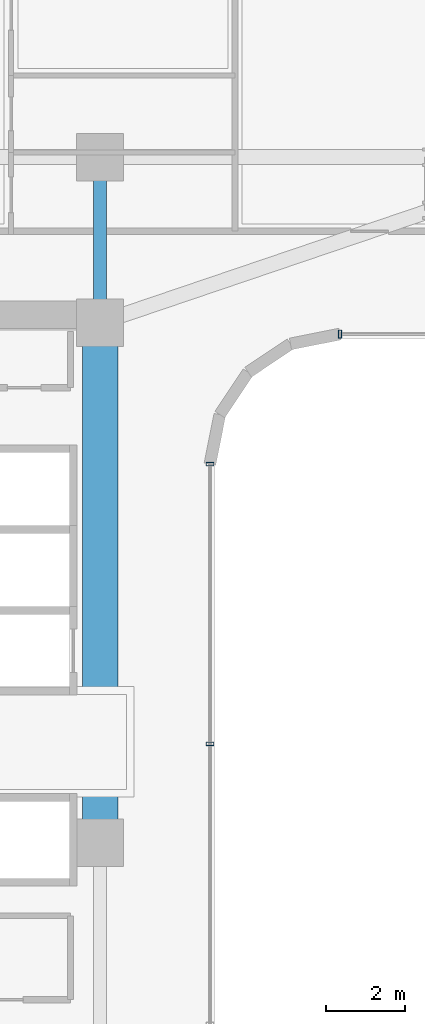
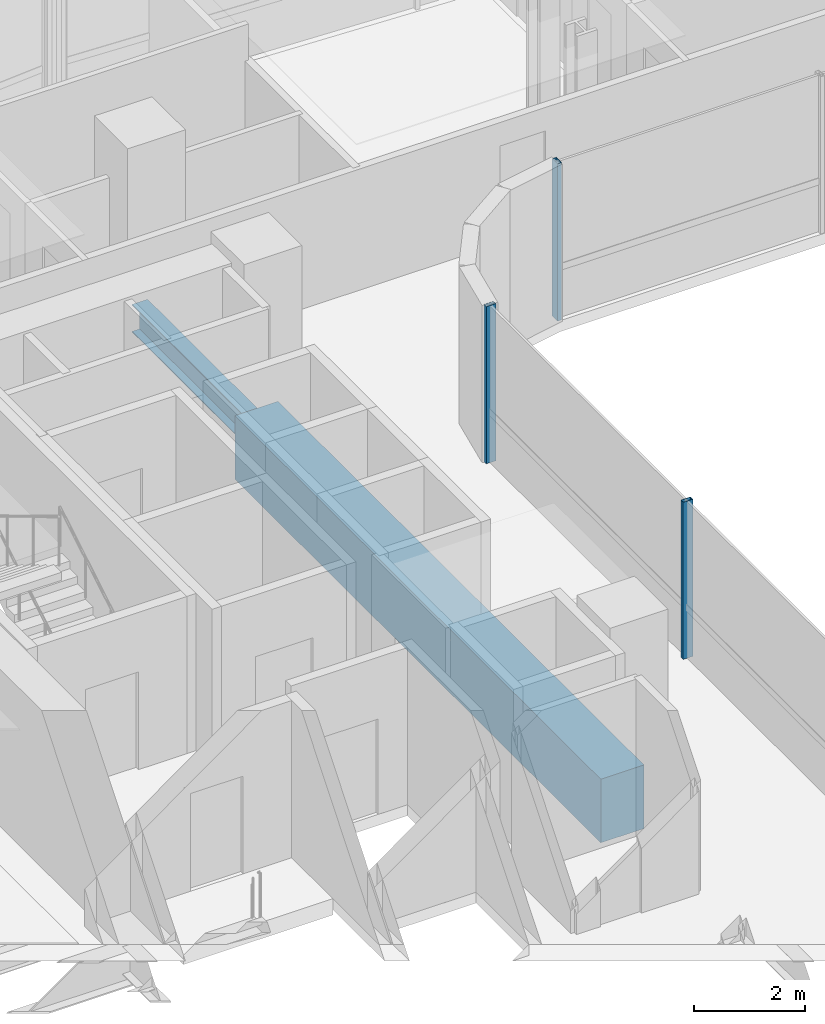
# One storey, part 11 of 38: 3 members, 2 beams, 2 elements without a shape of their own.
"""IFC4 building model written with IfcOpenShell, lengths in metres."""

import ifcopenshell
import ifcopenshell.guid

model = None  # the IFC model being written
_history = None  # IfcOwnerHistory: only IFC2X3 demands one
_inside = {}  # id of a spatial element -> (the spatial element, [elements in it])
_under = {}  # id of a project, library or spatial element -> (it, [spatial elements below it])
_declared = {}  # id of a project -> (the project, [libraries it declares])
_typed = {}  # id of a type object -> (the type object, [elements of that type])
_made_of = {}  # id of a material, layer set ... -> (it, [elements and type objects made of it])


def new_model(schema):
    """Start an empty IFC model of exactly this schema.

    Asked for "IFC4X3", IfcOpenShell would pick the latest addendum, in which some entities
    have other attributes; the version numbers below select the first issue.
    IFC2X3 requires an IfcOwnerHistory on every rooted entity: one is made here for all.
    """
    global model, _history
    if schema == "IFC4X3":
        model = ifcopenshell.file(schema_version=(4, 3, 0, 0))
    else:
        model = ifcopenshell.file(schema=schema)
    _inside.clear()
    _under.clear()
    _declared.clear()
    _typed.clear()
    _made_of.clear()
    _history = None
    if model.schema == "IFC2X3":
        org = make("IfcOrganization", Name="unknown")
        user = make(
            "IfcPersonAndOrganization",
            ThePerson=make("IfcPerson", FamilyName="unknown"),
            TheOrganization=org,
        )
        app = make(
            "IfcApplication",
            ApplicationDeveloper=org,
            Version="unknown",
            ApplicationFullName="unknown",
            ApplicationIdentifier="unknown",
        )
        _history = make(
            "IfcOwnerHistory",
            OwningUser=user,
            OwningApplication=app,
            ChangeAction="ADDED",
            CreationDate=0,
        )
    return model


def make(cls, **values):
    """One entity of the class cls with the attributes given. An attribute that is None is left unset."""
    return model.create_entity(
        cls, **{name: value for name, value in values.items() if value is not None}
    )


def rooted(cls, **values):
    """An entity with a GlobalId (a new one), such as an element, a storey or a relation."""
    return make(cls, GlobalId=ifcopenshell.guid.new(), OwnerHistory=_history, **values)


def si_unit(unit_type, name, prefix=None):
    """IfcSIUnit, for example si_unit("LENGTHUNIT", "METRE", prefix="MILLI")."""
    return make("IfcSIUnit", UnitType=unit_type, Prefix=prefix, Name=name)


def assignment(units):
    """IfcUnitAssignment: the units of a project."""
    return None if units is None else make("IfcUnitAssignment", Units=units)


def point(xyz):
    """IfcCartesianPoint."""
    return None if xyz is None else make("IfcCartesianPoint", Coordinates=xyz)


def direction(xyz):
    """IfcDirection."""
    return None if xyz is None else make("IfcDirection", DirectionRatios=xyz)


def frame(location, z_axis=None, x_axis=None):
    """IfcAxis2Placement3D, a coordinate frame: its origin and axes. An axis left out is left unset."""
    return make(
        "IfcAxis2Placement3D",
        Location=point(location),
        Axis=direction(z_axis),
        RefDirection=direction(x_axis),
    )


def frame_2d(location, x_axis=None):
    """IfcAxis2Placement2D, a coordinate frame in the plane: its origin and x axis."""
    return make(
        "IfcAxis2Placement2D", Location=point(location), RefDirection=direction(x_axis)
    )


def origin():
    """The frame at (0, 0, 0) with its axes left unset."""
    return frame((0.0, 0.0, 0.0))


def origin_2d():
    """The frame at (0, 0) in the plane with its x axis left unset."""
    return frame_2d((0.0, 0.0))


def place(relative_to, where):
    """IfcLocalPlacement: puts the frame where relative to a parent placement (None: the world)."""
    return make(
        "IfcLocalPlacement", PlacementRelTo=relative_to, RelativePlacement=where
    )


def context(
    kind, dimensions, precision=None, world=None, true_north=None, identifier=None
):
    """IfcGeometricRepresentationContext, for example the 3D "Model" context."""
    return make(
        "IfcGeometricRepresentationContext",
        ContextIdentifier=identifier,
        ContextType=kind,
        CoordinateSpaceDimension=dimensions,
        Precision=precision,
        WorldCoordinateSystem=world,
        TrueNorth=true_north,
    )


def subcontext(parent, identifier, kind, view, scale=None):
    """IfcGeometricRepresentationSubContext, for example "Body" below "Model"."""
    return make(
        "IfcGeometricRepresentationSubContext",
        ContextIdentifier=identifier,
        ContextType=kind,
        ParentContext=parent,
        TargetScale=scale,
        TargetView=view,
    )


def project(units=None, contexts=None):
    """IfcProject with its units and contexts."""
    return rooted(
        "IfcProject",
        Name="project",
        RepresentationContexts=contexts,
        UnitsInContext=assignment(units),
    )


def spatial(cls, under=None, at=None, **own):
    """A site, building, storey or space (cls), placed at a placement, below another one or the project."""
    s = rooted(cls, ObjectPlacement=at, **own)
    if under is not None:
        _under.setdefault(under.id(), (under, []))[1].append(s)
    return s


def profile(cls, at=None, kind="AREA", **sizes):
    """A parametric profile (cls). Its sizes go by their IFC names, for example OverallWidth=200.0."""
    return make(cls, ProfileType=kind, Position=at, **sizes)


def rectangle(**sizes):
    """IfcRectangleProfileDef."""
    return profile("IfcRectangleProfileDef", **sizes)


def hollow_rectangle(**sizes):
    """IfcRectangleHollowProfileDef."""
    return profile("IfcRectangleHollowProfileDef", **sizes)


def i_section(**sizes):
    """IfcIShapeProfileDef."""
    return profile("IfcIShapeProfileDef", **sizes)


def extrude(swept, where, along, depth):
    """IfcExtrudedAreaSolid: the profile swept, set in the frame where, extruded along a direction by depth."""
    return make(
        "IfcExtrudedAreaSolid",
        SweptArea=swept,
        Position=where,
        ExtrudedDirection=direction(along),
        Depth=depth,
    )


def shape(context_of_items, identifier, shape_type, items):
    """IfcShapeRepresentation: the items that make up one representation, for example the "Body"."""
    return make(
        "IfcShapeRepresentation",
        ContextOfItems=context_of_items,
        RepresentationIdentifier=identifier,
        RepresentationType=shape_type,
        Items=items,
    )


def source(mapping_origin, context_of_items, identifier, shape_type, items):
    """IfcRepresentationMap: a shape defined once, which mapped items show again and again."""
    return make(
        "IfcRepresentationMap",
        MappingOrigin=mapping_origin,
        MappedRepresentation=shape(context_of_items, identifier, shape_type, items),
    )


def transform(
    local_origin,
    x_axis=None,
    y_axis=None,
    z_axis=None,
    scale=None,
    scale2=None,
    scale3=None,
    uniform=True,
):
    """IfcCartesianTransformationOperator3D, or its non-uniform kind. x_axis, y_axis, z_axis: its Axis1, 2, 3."""
    if uniform:
        return make(
            "IfcCartesianTransformationOperator3D",
            Axis1=direction(x_axis),
            Axis2=direction(y_axis),
            LocalOrigin=point(local_origin),
            Scale=scale,
            Axis3=direction(z_axis),
        )
    return make(
        "IfcCartesianTransformationOperator3DnonUniform",
        Axis1=direction(x_axis),
        Axis2=direction(y_axis),
        LocalOrigin=point(local_origin),
        Scale=scale,
        Axis3=direction(z_axis),
        Scale2=scale2,
        Scale3=scale3,
    )


def mapped(mapping_source, mapping_target):
    """IfcMappedItem: shows the shape of a source again, moved by a transform."""
    return make(
        "IfcMappedItem", MappingSource=mapping_source, MappingTarget=mapping_target
    )


def material(Name=None, Category=None):
    """IfcMaterial."""
    return make("IfcMaterial", Name=Name, Category=Category)


def material_profile(
    of_material, cross_section, Name=None, Category=None, Priority=None
):
    """IfcMaterialProfile: a cross section and its material."""
    return make(
        "IfcMaterialProfile",
        Name=Name,
        Material=of_material,
        Profile=cross_section,
        Priority=Priority,
        Category=Category,
    )


def profile_set(profiles, Name=None, composite=None):
    """IfcMaterialProfileSet."""
    return make(
        "IfcMaterialProfileSet",
        Name=Name,
        MaterialProfiles=profiles,
        CompositeProfile=composite,
    )


def made_of(thing, what):
    """Note that an element or type object is made of a material, layer set ...; save() writes the relation."""
    if what is not None:
        _made_of.setdefault(what.id(), (what, []))[1].append(thing)
    return thing


def type_object(cls, material=None, **own):
    """A type object (cls), such as IfcWallType, which elements share."""
    return made_of(rooted(cls, **own), material)


def element(
    cls,
    number,
    at=None,
    inside=None,
    cuts=None,
    type_object=None,
    material=None,
    context=None,
    identifier="Body",
    shape_type=None,
    held_by="IfcProductDefinitionShape",
    body=None,
    shapes=None,
    **own,
):
    """One element of the class cls, such as IfcWall. Its Tag is "e" and its number.

    at: its placement. inside: the storey or other place that contains it. cuts: it is an
    opening in that element (IfcRelVoidsElement). A single representation is given by context,
    identifier, shape_type and body (its items); several are given by shapes. held_by: the class
    of the entity that holds the representations. save() writes the other relations.
    """
    e = rooted(cls, Tag="e%d" % number, ObjectPlacement=at, **own)
    if body is not None:
        shapes = [shape(context, identifier, shape_type, body)]
    if shapes is not None:
        e.Representation = make(held_by, Representations=shapes)
    if inside is not None:
        _inside.setdefault(inside.id(), (inside, []))[1].append(e)
    if cuts is not None:
        rooted(
            "IfcRelVoidsElement", RelatingBuildingElement=cuts, RelatedOpeningElement=e
        )
    if type_object is not None:
        _typed.setdefault(type_object.id(), (type_object, []))[1].append(e)
    return made_of(e, material)


def aggregate(whole, parts):
    """IfcRelAggregates: a whole, such as a stair, and the parts it consists of."""
    return rooted("IfcRelAggregates", RelatingObject=whole, RelatedObjects=parts)


def save(model, path):
    """Write the relations noted so far, then the file.

    IfcRelAggregates (storeys below a building ...), IfcRelContainedInSpatialStructure (elements
    in a storey), IfcRelDefinesByType, IfcRelAssociatesMaterial and IfcRelDeclares: one each for
    every whole, place, type object, material and project.
    """
    for whole, parts in _under.values():
        aggregate(whole, parts)
    for where, things in _inside.values():
        rooted(
            "IfcRelContainedInSpatialStructure",
            RelatedElements=things,
            RelatingStructure=where,
        )
    for kind, things in _typed.values():
        rooted("IfcRelDefinesByType", RelatedObjects=things, RelatingType=kind)
    for what, things in _made_of.values():
        rooted("IfcRelAssociatesMaterial", RelatedObjects=things, RelatingMaterial=what)
    for by, libraries in _declared.values():
        rooted("IfcRelDeclares", RelatingContext=by, RelatedDefinitions=libraries)
    model.write(path)


model = new_model("IFC4")

# Units and contexts
model_context = context("Model", 3, precision=1e-05, world=origin(), true_north=direction((0.0, 1.0)))
body_context = subcontext(model_context, "Body", "Model", "MODEL_VIEW")
ifc_project = project(units=[si_unit("LENGTHUNIT", "METRE"), si_unit("AREAUNIT", "SQUARE_METRE"), si_unit("VOLUMEUNIT", "CUBIC_METRE"), si_unit("PLANEANGLEUNIT", "RADIAN"), si_unit("MASSUNIT", "GRAM", prefix="KILO")], contexts=[model_context])

# Site, building, storey
site_placement = place(None, origin())
site = spatial("IfcSite", under=ifc_project, at=site_placement, CompositionType="ELEMENT")
building_placement = place(site_placement, origin())
building = spatial("IfcBuilding", under=site, at=building_placement, Name="Valdorenza Pilgrim Sanctuary Tower", CompositionType="ELEMENT")
storey_placement = place(building_placement, frame((0.0, 0.0, 131.60009765625)))
storey = spatial("IfcBuildingStorey", under=building, at=storey_placement, Name="L33", CompositionType="ELEMENT", Elevation=131.60009765625)

# Beams
ifc_material_1 = material(Name="Concrete C60/75", Category="concrete")
ifc_material_profile_1 = material_profile(ifc_material_1, rectangle(XDim=0.89990234375, YDim=1.39990234375, at=origin_2d()), Name="RC 1400x900")
ifc_profile_set_1 = profile_set([ifc_material_profile_1], Name="Concrete C60/75")
beam_type_1 = type_object("IfcBeamType", Name="STR-BM-LNT-1400", PredefinedType="LINTEL", material=ifc_profile_set_1)
shared_shape_1 = source(origin(), body_context, "Body", "SweptSolid", [
    extrude(rectangle(XDim=0.89990234375, YDim=1.39990234375, at=origin_2d()), origin(), (0.0, 0.0, 1.0), 13.2001953125),
])
beam_1_placement = place(storey_placement, frame((-12.39990234375, -2.60009765625, -0.739990234375), z_axis=(0.0, 1.0, 0.0), x_axis=(-1.0, 0.0, 0.0)))
element("IfcBeam", 1, at=beam_1_placement, inside=storey, type_object=beam_type_1, Name="L33 Core A Coupling Lintel Girder", PredefinedType="LINTEL", context=body_context, shape_type="MappedRepresentation", body=[
    mapped(shared_shape_1, transform((0.0, 0.0, 0.0), x_axis=(1.0, 0.0, 0.0), y_axis=(0.0, 1.0, 0.0), z_axis=(0.0, 0.0, 1.0), scale=1.0)),
])
ifc_material_2 = material(Name="Steel ASTM A992 Grade 50", Category="steel")
ifc_material_profile_2 = material_profile(ifc_material_2, i_section(OverallWidth=0.323974609375, OverallDepth=0.611083984375, WebThickness=0.0126953125, FlangeThickness=0.01904296875, at=origin_2d()), Name="W24X104")
ifc_profile_set_2 = profile_set([ifc_material_profile_2], Name="Steel ASTM A992 Grade 50")
beam_type_2 = type_object("IfcBeamType", Name="STR-BM-GRD-W24B", PredefinedType="BEAM", material=ifc_profile_set_2)
shared_shape_2 = source(origin(), body_context, "Body", "SweptSolid", [
    extrude(i_section(OverallWidth=0.323974609375, OverallDepth=0.611083984375, WebThickness=0.0126953125, FlangeThickness=0.01904296875, at=origin_2d()), origin(), (0.0, 0.0, 1.0), 4.199951171875),
])
beam_2_placement = place(storey_placement, frame((-12.39990234375, 10.60009765625, -0.545654296875), z_axis=(0.0, 1.0, 0.0), x_axis=(-1.0, 0.0, 0.0)))
element("IfcBeam", 2, at=beam_2_placement, inside=storey, type_object=beam_type_2, Name="L33 Core Tie Girder CA-E-N1N2", PredefinedType="BEAM", context=body_context, shape_type="MappedRepresentation", body=[
    mapped(shared_shape_2, transform((0.0, 0.0, 0.0), x_axis=(1.0, 0.0, 0.0), y_axis=(0.0, 1.0, 0.0), z_axis=(0.0, 0.0, 1.0), scale=1.0)),
])

# Curtain wall, member
ifc_material_3 = material(Name="Curtain-wall IGU glazing", Category="glass")
curtain_wall_type = type_object("IfcCurtainWallType", Name="CW-SYS-02", PredefinedType="NOTDEFINED", material=ifc_material_3)
curtain_wall_1_placement = place(storey_placement, origin())
curtain_wall_1 = element("IfcCurtainWall", 3, at=curtain_wall_1_placement, inside=storey, type_object=curtain_wall_type, Name="L33 Curtain Wall CW-L33-1-36", PredefinedType="NOTDEFINED")
ifc_material_4 = material(Name="Anodised aluminium AW-6060", Category="aluminium")
ifc_material_profile_3 = material_profile(ifc_material_4, hollow_rectangle(XDim=0.0849609375, YDim=0.199951171875, WallThickness=0.0048828125, at=origin_2d()), Name="ALU-M 200x85x5")
ifc_profile_set_3 = profile_set([ifc_material_profile_3], Name="Anodised aluminium AW-6060")
member_type = type_object("IfcMemberType", Name="CW-MUL-02", PredefinedType="MULLION", material=ifc_profile_set_3)
shared_shape_3 = source(origin(), body_context, "Body", "SweptSolid", [
    extrude(hollow_rectangle(XDim=0.0849609375, YDim=0.199951171875, WallThickness=0.0048828125, at=origin_2d()), origin(), (0.0, 0.0, 1.0), 3.4599609375),
])
member_1_placement = place(storey_placement, frame((-6.310791015625, 10.31005859375, 0.0), z_axis=(0.0, 0.0, 1.0), x_axis=(-1.0, 0.0, 0.0)))
member_1 = element("IfcMember", 4, at=member_1_placement, type_object=member_type, Name="CW-L33-1-36 Mullion 4", PredefinedType="MULLION", context=body_context, shape_type="MappedRepresentation", body=[
    mapped(shared_shape_3, transform((0.0, 0.0, 0.0), x_axis=(1.0, 0.0, 0.0), y_axis=(0.0, 1.0, 0.0), z_axis=(0.0, 0.0, 1.0), scale=1.0)),
])
aggregate(curtain_wall_1, [member_1])

# Curtain wall, members
curtain_wall_2_placement = place(storey_placement, origin())
curtain_wall_2 = element("IfcCurtainWall", 5, at=curtain_wall_2_placement, inside=storey, type_object=curtain_wall_type, Name="L33 Curtain Wall CW-L33-1-41", PredefinedType="NOTDEFINED")
member_2_placement = place(storey_placement, frame((-9.610107421875, 7.0107421875, 0.0), z_axis=(0.0, 0.0, 1.0), x_axis=(0.0, -1.0, 0.0)))
member_2 = element("IfcMember", 6, at=member_2_placement, type_object=member_type, Name="CW-L33-1-41 Mullion 1", PredefinedType="MULLION", context=body_context, shape_type="MappedRepresentation", body=[
    mapped(shared_shape_3, transform((0.0, 0.0, 0.0), x_axis=(1.0, 0.0, 0.0), y_axis=(0.0, 1.0, 0.0), z_axis=(0.0, 0.0, 1.0), scale=1.0)),
])
member_3_placement = place(storey_placement, frame((-9.610107421875, -0.089111328125, 0.0), z_axis=(0.0, 0.0, 1.0), x_axis=(0.0, -1.0, 0.0)))
member_3 = element("IfcMember", 7, at=member_3_placement, type_object=member_type, Name="CW-L33-1-41 Mullion 2", PredefinedType="MULLION", context=body_context, shape_type="MappedRepresentation", body=[
    mapped(shared_shape_3, transform((0.0, 0.0, 0.0), x_axis=(1.0, 0.0, 0.0), y_axis=(0.0, 1.0, 0.0), z_axis=(0.0, 0.0, 1.0), scale=1.0)),
])
aggregate(curtain_wall_2, [member_2, member_3])

save(model, "model.ifc")
